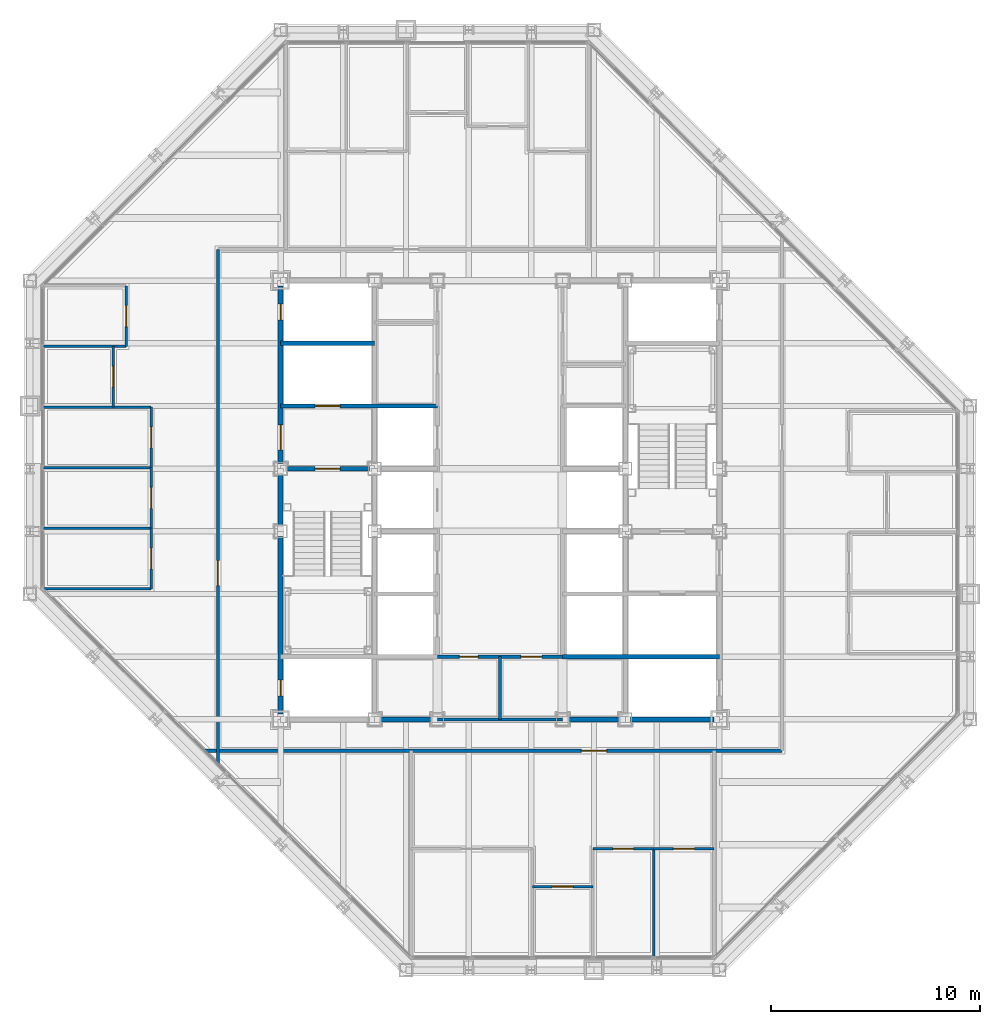
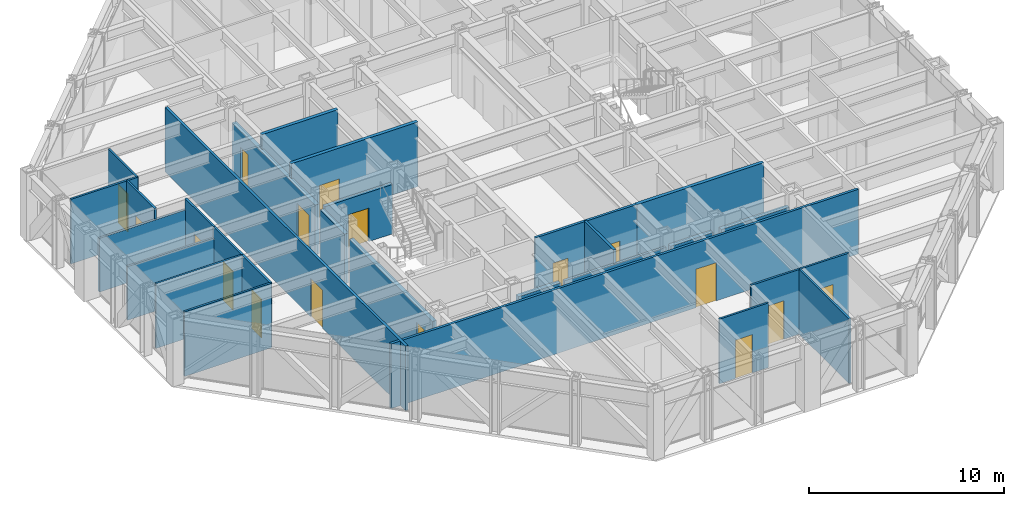
# One storey, part 10 of 15: 29 walls, 17 doors, 17 openings.
"""IFC4 building model written with IfcOpenShell, lengths in metres."""

from ifc_helpers import new_model, si_unit, direction, frame, frame_2d, origin, place, context, subcontext, project, spatial, rectangle, extrude, material, layer, layer_set, type_object, element, fill, save


model = new_model("IFC4")

# Units and contexts
model_context = context("Model", 3, precision=1e-05, world=origin(), true_north=direction((0.0, 1.0)))
body_context = subcontext(model_context, "Body", "Model", "MODEL_VIEW")
ifc_project = project(units=[si_unit("LENGTHUNIT", "METRE"), si_unit("AREAUNIT", "SQUARE_METRE"), si_unit("VOLUMEUNIT", "CUBIC_METRE"), si_unit("PLANEANGLEUNIT", "RADIAN"), si_unit("MASSUNIT", "GRAM", prefix="KILO")], contexts=[model_context])

# Site, building, storey
site_placement = place(None, origin())
site = spatial("IfcSite", under=ifc_project, at=site_placement, CompositionType="ELEMENT")
building_placement = place(site_placement, origin())
building = spatial("IfcBuilding", under=site, at=building_placement, Name="Chuquiago Exchange Tower", CompositionType="ELEMENT")
storey_placement = place(building_placement, frame((0.0, 0.0, 197.10009765625)))
storey = spatial("IfcBuildingStorey", under=building, at=storey_placement, Name="L43", CompositionType="ELEMENT", Elevation=197.10009765625)

# Wall, opening, door
ifc_material_1 = material(Name="Concrete masonry, fully grouted", Category="masonry")
ifc_layer_1 = layer(ifc_material_1, 0.25)
ifc_layer_set_1 = layer_set([ifc_layer_1], Name="W1 core wall 250")
wall_type_1 = type_object("IfcWallType", Name="W1 core wall 250", PredefinedType="SOLIDWALL", material=ifc_layer_set_1)
wall_1_placement = place(storey_placement, frame((12.0, 12.25, 0.0), z_axis=(0.0, 0.0, 1.0), x_axis=(0.0, 1.0, 0.0)))
wall_1 = element("IfcWall", 1, at=wall_1_placement, inside=storey, type_object=wall_type_1, Name="CW-L43-00-0", PredefinedType="SOLIDWALL", context=body_context, shape_type="SweptSolid", body=[
    extrude(rectangle(XDim=8.5, YDim=0.25, at=frame_2d((4.25, 0.0))), origin(), (0.0, 0.0, 1.0), 3.11279296875),
])
opening_1_placement = place(wall_1_placement, frame((0.875, 0.0, 0.0)))
opening_1 = element("IfcOpeningElement", 2, at=opening_1_placement, cuts=wall_1, Name="Opening L43-007", PredefinedType="OPENING", context=body_context, shape_type="SweptSolid", body=[
    extrude(rectangle(XDim=0.75, YDim=2.10009765625, at=frame_2d((0.375, 1.050048828125))), frame((0.0, 0.135009765625, 0.0), z_axis=(0.0, -1.0, 0.0), x_axis=(1.0, 0.0, 0.0)), (0.0, 0.0, 1.0), 0.27001953125),
])
ifc_material_2 = material(Name="Steel door, painted", Category="steel")
door_type_1 = type_object("IfcDoorType", Name="D6 riser access door 750x2100", OperationType="SINGLE_SWING_LEFT", PredefinedType="DOOR", material=ifc_material_2)
door_1_placement = place(opening_1_placement, origin())
door_1 = element("IfcDoor", 3, at=door_1_placement, inside=storey, type_object=door_type_1, Name="Riser RW1 door", OperationType="SINGLE_SWING_LEFT", OverallHeight=2.10009765625, OverallWidth=0.75, PredefinedType="DOOR", context=body_context, shape_type="SweptSolid", body=[
    extrude(rectangle(XDim=0.75, YDim=2.10009765625, at=frame_2d((0.375, 1.050048828125))), frame((0.0, 0.02490234375, 0.0), z_axis=(0.0, -1.0, 0.0), x_axis=(1.0, 0.0, 0.0)), (0.0, 0.0, 1.0), 0.050048828125),
])
fill(opening_1, door_1)

# Wall
wall_2_placement = place(storey_placement, frame((12.0, 21.25, 0.0), z_axis=(0.0, 0.0, 1.0), x_axis=(0.0, 1.0, 0.0)))
element("IfcWall", 4, at=wall_2_placement, inside=storey, type_object=wall_type_1, Name="CW-L43-00-1", PredefinedType="SOLIDWALL", context=body_context, shape_type="SweptSolid", body=[
    extrude(rectangle(XDim=2.5, YDim=0.25, at=frame_2d((1.25, 0.0))), origin(), (0.0, 0.0, 1.0), 3.11279296875),
])

# Wall, openings, doors
wall_3_placement = place(storey_placement, frame((12.0, 24.25, 0.0), z_axis=(0.0, 0.0, 1.0), x_axis=(0.0, 1.0, 0.0)))
wall_3 = element("IfcWall", 5, at=wall_3_placement, inside=storey, type_object=wall_type_1, Name="CW-L43-00-2", PredefinedType="SOLIDWALL", context=body_context, shape_type="SweptSolid", body=[
    extrude(rectangle(XDim=8.5, YDim=0.25, at=frame_2d((4.25, 0.0))), origin(), (0.0, 0.0, 1.0), 3.11279296875),
])
opening_2_placement = place(wall_3_placement, frame((0.64990234375, 0.0, 0.0)))
opening_2 = element("IfcOpeningElement", 6, at=opening_2_placement, cuts=wall_3, Name="Opening L43-002", PredefinedType="OPENING", context=body_context, shape_type="SweptSolid", body=[
    extrude(rectangle(XDim=1.199951171875, YDim=2.10009765625, at=frame_2d((0.60009765625, 1.050048828125))), frame((0.0, 0.135009765625, 0.0), z_axis=(0.0, -1.0, 0.0), x_axis=(1.0, 0.0, 0.0)), (0.0, 0.0, 1.0), 0.27001953125),
])
opening_3_placement = place(wall_3_placement, frame((6.875, 0.0, 0.0)))
opening_3 = element("IfcOpeningElement", 7, at=opening_3_placement, cuts=wall_3, Name="Opening L43-008", PredefinedType="OPENING", context=body_context, shape_type="SweptSolid", body=[
    extrude(rectangle(XDim=0.75, YDim=2.10009765625, at=frame_2d((0.375, 1.050048828125))), frame((0.0, 0.135009765625, 0.0), z_axis=(0.0, -1.0, 0.0), x_axis=(1.0, 0.0, 0.0)), (0.0, 0.0, 1.0), 0.27001953125),
])
ifc_material_3 = material(Name="Steel door, painted", Category="steel")
door_type_2 = type_object("IfcDoorType", Name="D5 firefighting lobby door 1200x2100", OperationType="SINGLE_SWING_LEFT", PredefinedType="DOOR", material=ifc_material_3)
door_2_placement = place(opening_2_placement, frame((1.199951171875, 0.0, 0.0), z_axis=(0.0, 0.0, 1.0), x_axis=(-1.0, 0.0, 0.0)))
door_2 = element("IfcDoor", 8, at=door_2_placement, inside=storey, type_object=door_type_2, Name="Firefighting lobby 1 door", OperationType="SINGLE_SWING_RIGHT", OverallHeight=2.10009765625, OverallWidth=1.199951171875, PredefinedType="DOOR", context=body_context, shape_type="SweptSolid", body=[
    extrude(rectangle(XDim=1.199951171875, YDim=2.10009765625, at=frame_2d((0.60009765625, 1.050048828125))), frame((0.0, 0.02490234375, 0.0), z_axis=(0.0, -1.0, 0.0), x_axis=(1.0, 0.0, 0.0)), (0.0, 0.0, 1.0), 0.050048828125),
])
fill(opening_2, door_2)
door_3_placement = place(opening_3_placement, origin())
door_3 = element("IfcDoor", 9, at=door_3_placement, inside=storey, type_object=door_type_1, Name="Riser RW2 door", OperationType="SINGLE_SWING_RIGHT", OverallHeight=2.10009765625, OverallWidth=0.75, PredefinedType="DOOR", context=body_context, shape_type="SweptSolid", body=[
    extrude(rectangle(XDim=0.75, YDim=2.10009765625, at=frame_2d((0.375, 1.050048828125))), frame((0.0, 0.02490234375, 0.0), z_axis=(0.0, -1.0, 0.0), x_axis=(1.0, 0.0, 0.0)), (0.0, 0.0, 1.0), 0.050048828125),
])
fill(opening_3, door_3)

# Walls
for number, where, z_axis, x_axis, name in (
    (10, (16.75, 12.0, 0.0), (0.0, 0.0, 1.0), (1.0, 0.0, 0.0), "CW-L43-01-1"),
    (11, (25.75, 12.0, 0.0), (0.0, 0.0, 1.0), (1.0, 0.0, 0.0), "CW-L43-02-0"),
):
    element("IfcWall", number, at=place(storey_placement, frame(where, z_axis=z_axis, x_axis=x_axis)), inside=storey, type_object=wall_type_1, Name=name, PredefinedType="SOLIDWALL", context=body_context, shape_type="SweptSolid", body=[
        extrude(rectangle(XDim=2.5, YDim=0.25, at=frame_2d((1.25, 0.0))), origin(), (0.0, 0.0, 1.0), 3.181396484375),
    ])
wall_4_placement = place(storey_placement, frame((28.75, 12.0, 0.0), z_axis=(0.0, 0.0, 1.0), x_axis=(1.0, 0.0, 0.0)))
element("IfcWall", 12, at=wall_4_placement, inside=storey, type_object=wall_type_1, Name="CW-L43-02-1", PredefinedType="SOLIDWALL", context=body_context, shape_type="SweptSolid", body=[
    extrude(rectangle(XDim=4.0, YDim=0.25, at=frame_2d((2.0, 0.0))), origin(), (0.0, 0.0, 1.0), 3.181396484375),
])

# Wall, opening, door
ifc_material_4 = material(Name="Gypsum board on steel studs, acoustic insulation", Category="steel")
ifc_layer_2 = layer(ifc_material_4, 0.14990234375)
ifc_layer_set_2 = layer_set([ifc_layer_2], Name="W11 corridor wall 150")
wall_type_2 = type_object("IfcWallType", Name="W11 corridor wall 150", PredefinedType="PARTITIONING", material=ifc_layer_set_2)
wall_5_placement = place(storey_placement, frame((8.385498046875, 10.5, 0.0), z_axis=(0.0, 0.0, 1.0), x_axis=(1.0, 0.0, 0.0)))
wall_5 = element("IfcWall", 13, at=wall_5_placement, inside=storey, type_object=wall_type_2, Name="PW-L43-CS", PredefinedType="PARTITIONING", context=body_context, shape_type="SweptSolid", body=[
    extrude(rectangle(XDim=27.614501953125, YDim=0.14990234375, at=frame_2d((13.80712890625, 0.0))), origin(), (0.0, 0.0, 1.0), 4.039794921875),
])
opening_4_placement = place(wall_5_placement, frame((18.014404296875, 0.0, 0.0)))
opening_4 = element("IfcOpeningElement", 14, at=opening_4_placement, cuts=wall_5, Name="Opening L43-039", PredefinedType="OPENING", context=body_context, shape_type="SweptSolid", body=[
    extrude(rectangle(XDim=1.199951171875, YDim=2.39990234375, at=frame_2d((0.60009765625, 1.199951171875))), frame((0.0, 0.0849609375, 0.0), z_axis=(0.0, -1.0, 0.0), x_axis=(1.0, 0.0, 0.0)), (0.0, 0.0, 1.0), 0.169921875),
])
ifc_material_5 = material(Name="Timber door, laminate faced", Category="wood")
door_type_3 = type_object("IfcDoorType", Name="D13 suite entrance door 1200x2400", OperationType="SINGLE_SWING_LEFT", PredefinedType="DOOR", material=ifc_material_5)
door_4_placement = place(opening_4_placement, frame((1.199951171875, 0.0, 0.0), z_axis=(0.0, 0.0, 1.0), x_axis=(-1.0, 0.0, 0.0)))
door_4 = element("IfcDoor", 15, at=door_4_placement, inside=storey, type_object=door_type_3, Name="South suite entrance door", OperationType="SINGLE_SWING_LEFT", OverallHeight=2.39990234375, OverallWidth=1.199951171875, PredefinedType="DOOR", context=body_context, shape_type="SweptSolid", body=[
    extrude(rectangle(XDim=1.199951171875, YDim=2.39990234375, at=frame_2d((0.60009765625, 1.199951171875))), frame((0.0, 0.02490234375, 0.0), z_axis=(0.0, -1.0, 0.0), x_axis=(1.0, 0.0, 0.0)), (0.0, 0.0, 1.0), 0.050048828125),
])
fill(opening_4, door_4)

wall_6_placement = place(storey_placement, frame((9.0, 9.885498046875, 0.0), z_axis=(0.0, 0.0, 1.0), x_axis=(0.0, 1.0, 0.0)))
wall_6 = element("IfcWall", 16, at=wall_6_placement, inside=storey, type_object=wall_type_2, Name="PW-L43-CW", PredefinedType="PARTITIONING", context=body_context, shape_type="SweptSolid", body=[
    extrude(rectangle(XDim=24.614501953125, YDim=0.14990234375, at=frame_2d((12.30712890625, 0.0))), origin(), (0.0, 0.0, 1.0), 4.039794921875),
])
opening_5_placement = place(wall_6_placement, frame((8.514404296875, 0.0, 0.0)))
opening_5 = element("IfcOpeningElement", 17, at=opening_5_placement, cuts=wall_6, Name="Opening L43-041", PredefinedType="OPENING", context=body_context, shape_type="SweptSolid", body=[
    extrude(rectangle(XDim=1.199951171875, YDim=2.39990234375, at=frame_2d((0.60009765625, 1.199951171875))), frame((0.0, 0.0849609375, 0.0), z_axis=(0.0, -1.0, 0.0), x_axis=(1.0, 0.0, 0.0)), (0.0, 0.0, 1.0), 0.169921875),
])
door_5_placement = place(opening_5_placement, origin())
door_5 = element("IfcDoor", 18, at=door_5_placement, inside=storey, type_object=door_type_3, Name="West suite entrance door", OperationType="SINGLE_SWING_LEFT", OverallHeight=2.39990234375, OverallWidth=1.199951171875, PredefinedType="DOOR", context=body_context, shape_type="SweptSolid", body=[
    extrude(rectangle(XDim=1.199951171875, YDim=2.39990234375, at=frame_2d((0.60009765625, 1.199951171875))), frame((0.0, 0.02490234375, 0.0), z_axis=(0.0, -1.0, 0.0), x_axis=(1.0, 0.0, 0.0)), (0.0, 0.0, 1.0), 0.050048828125),
])
fill(opening_5, door_5)

# Wall
ifc_material_6 = material(Name="Concrete masonry, fully grouted", Category="masonry")
ifc_layer_3 = layer(ifc_material_6, 0.199951171875)
ifc_layer_set_3 = layer_set([ifc_layer_3], Name="W2 shaft wall 200")
wall_type_3 = type_object("IfcWallType", Name="W2 shaft wall 200", PredefinedType="SOLIDWALL", material=ifc_layer_set_3)
wall_7_placement = place(storey_placement, frame((25.5, 15.0, 0.0), z_axis=(0.0, 0.0, 1.0), x_axis=(1.0, 0.0, 0.0)))
element("IfcWall", 19, at=wall_7_placement, inside=storey, type_object=wall_type_3, Name="CW-L43-04-0", PredefinedType="SOLIDWALL", context=body_context, shape_type="SweptSolid", body=[
    extrude(rectangle(XDim=7.5, YDim=0.199951171875, at=frame_2d((3.75, 0.0))), origin(), (0.0, 0.0, 1.0), 4.039794921875),
])

# Wall, opening, door
wall_8_placement = place(storey_placement, frame((12.25, 24.0, 0.0), z_axis=(0.0, 0.0, 1.0), x_axis=(1.0, 0.0, 0.0)))
wall_8 = element("IfcWall", 20, at=wall_8_placement, inside=storey, type_object=wall_type_3, Name="CW-L43-05-0", PredefinedType="SOLIDWALL", context=body_context, shape_type="SweptSolid", body=[
    extrude(rectangle(XDim=4.0, YDim=0.199951171875, at=frame_2d((2.0, 0.0))), origin(), (0.0, 0.0, 1.0), 3.08984375),
])
opening_6_placement = place(wall_8_placement, frame((1.39990234375, 0.0, 0.0)))
opening_6 = element("IfcOpeningElement", 21, at=opening_6_placement, cuts=wall_8, Name="Opening L43-001", PredefinedType="OPENING", context=body_context, shape_type="SweptSolid", body=[
    extrude(rectangle(XDim=1.199951171875, YDim=2.10009765625, at=frame_2d((0.60009765625, 1.050048828125))), frame((0.0, 0.10986328125, 0.0), z_axis=(0.0, -1.0, 0.0), x_axis=(1.0, 0.0, 0.0)), (0.0, 0.0, 1.0), 0.219970703125),
])
ifc_material_7 = material(Name="Steel door, painted", Category="steel")
door_type_4 = type_object("IfcDoorType", Name="D4 stair door 1200x2100", OperationType="SINGLE_SWING_LEFT", PredefinedType="DOOR", material=ifc_material_7)
door_6_placement = place(opening_6_placement, frame((1.199951171875, 0.0, 0.0), z_axis=(0.0, 0.0, 1.0), x_axis=(-1.0, 0.0, 0.0)))
door_6 = element("IfcDoor", 22, at=door_6_placement, inside=storey, type_object=door_type_4, Name="Stair ST1 door", OperationType="SINGLE_SWING_RIGHT", OverallHeight=2.10009765625, OverallWidth=1.199951171875, PredefinedType="DOOR", context=body_context, shape_type="SweptSolid", body=[
    extrude(rectangle(XDim=1.199951171875, YDim=2.10009765625, at=frame_2d((0.60009765625, 1.050048828125))), frame((0.0, 0.02490234375, 0.0), z_axis=(0.0, -1.0, 0.0), x_axis=(1.0, 0.0, 0.0)), (0.0, 0.0, 1.0), 0.050048828125),
])
fill(opening_6, door_6)

wall_9_placement = place(storey_placement, frame((12.0, 27.0, 0.0), z_axis=(0.0, 0.0, 1.0), x_axis=(1.0, 0.0, 0.0)))
wall_9 = element("IfcWall", 23, at=wall_9_placement, inside=storey, type_object=wall_type_3, Name="CW-L43-07-0", PredefinedType="SOLIDWALL", context=body_context, shape_type="SweptSolid", body=[
    extrude(rectangle(XDim=7.5, YDim=0.199951171875, at=frame_2d((3.75, 0.0))), origin(), (0.0, 0.0, 1.0), 4.039794921875),
])
opening_7_placement = place(wall_9_placement, frame((1.64990234375, 0.0, 0.0)))
opening_7 = element("IfcOpeningElement", 24, at=opening_7_placement, cuts=wall_9, Name="Opening L43-005", PredefinedType="OPENING", context=body_context, shape_type="SweptSolid", body=[
    extrude(rectangle(XDim=1.199951171875, YDim=2.10009765625, at=frame_2d((0.60009765625, 1.050048828125))), frame((0.0, 0.10986328125, 0.0), z_axis=(0.0, -1.0, 0.0), x_axis=(1.0, 0.0, 0.0)), (0.0, 0.0, 1.0), 0.219970703125),
])
ifc_material_8 = material(Name="Stainless steel lift landing door", Category="steel")
door_type_5 = type_object("IfcDoorType", Name="LD2 firefighting lift landing door 1200x2100", OperationType="DOUBLE_DOOR_SLIDING", PredefinedType="DOOR", material=ifc_material_8)
door_7_placement = place(opening_7_placement, origin())
door_7 = element("IfcDoor", 25, at=door_7_placement, inside=storey, type_object=door_type_5, Name="Firefighting lift FL1 landing door", OperationType="DOUBLE_DOOR_SLIDING", OverallHeight=2.10009765625, OverallWidth=1.199951171875, PredefinedType="DOOR", context=body_context, shape_type="SweptSolid", body=[
    extrude(rectangle(XDim=1.199951171875, YDim=2.10009765625, at=frame_2d((0.60009765625, 1.050048828125))), frame((0.0, 0.02490234375, 0.0), z_axis=(0.0, -1.0, 0.0), x_axis=(1.0, 0.0, 0.0)), (0.0, 0.0, 1.0), 0.050048828125),
])
fill(opening_7, door_7)

# Wall
wall_10_placement = place(storey_placement, frame((12.0, 30.0, 0.0), z_axis=(0.0, 0.0, 1.0), x_axis=(1.0, 0.0, 0.0)))
element("IfcWall", 26, at=wall_10_placement, inside=storey, type_object=wall_type_3, Name="CW-L43-09-0", PredefinedType="SOLIDWALL", context=body_context, shape_type="SweptSolid", body=[
    extrude(rectangle(XDim=4.5, YDim=0.199951171875, at=frame_2d((2.25, 0.0))), origin(), (0.0, 0.0, 1.0), 4.039794921875),
])

# Wall, openings, doors
ifc_material_9 = material(Name="Gypsum board on steel studs", Category="steel")
ifc_layer_4 = layer(ifc_material_9, 0.14990234375)
ifc_layer_set_4 = layer_set([ifc_layer_4], Name="W3 core partition 150")
wall_type_4 = type_object("IfcWallType", Name="W3 core partition 150", PredefinedType="PARTITIONING", material=ifc_layer_set_4)
wall_11_placement = place(storey_placement, frame((19.5, 15.0, 0.0), z_axis=(0.0, 0.0, 1.0), x_axis=(1.0, 0.0, 0.0)))
wall_11 = element("IfcWall", 27, at=wall_11_placement, inside=storey, type_object=wall_type_4, Name="CW-L43-TF", PredefinedType="PARTITIONING", context=body_context, shape_type="SweptSolid", body=[
    extrude(rectangle(XDim=6.0, YDim=0.14990234375, at=frame_2d((3.0, 0.0))), origin(), (0.0, 0.0, 1.0), 4.039794921875),
])
opening_8_placement = place(wall_11_placement, frame((4.0, 0.0, 0.0)))
opening_8 = element("IfcOpeningElement", 28, at=opening_8_placement, cuts=wall_11, Name="Opening L43-015", PredefinedType="OPENING", context=body_context, shape_type="SweptSolid", body=[
    extrude(rectangle(XDim=1.0, YDim=2.10009765625, at=frame_2d((0.5, 1.050048828125))), frame((0.0, 0.0849609375, 0.0), z_axis=(0.0, -1.0, 0.0), x_axis=(1.0, 0.0, 0.0)), (0.0, 0.0, 1.0), 0.169921875),
])
opening_9_placement = place(wall_11_placement, frame((1.050048828125, 0.0, 0.0)))
opening_9 = element("IfcOpeningElement", 29, at=opening_9_placement, cuts=wall_11, Name="Opening L43-016", PredefinedType="OPENING", context=body_context, shape_type="SweptSolid", body=[
    extrude(rectangle(XDim=0.89990234375, YDim=2.10009765625, at=frame_2d((0.449951171875, 1.050048828125))), frame((0.0, 0.0849609375, 0.0), z_axis=(0.0, -1.0, 0.0), x_axis=(1.0, 0.0, 0.0)), (0.0, 0.0, 1.0), 0.169921875),
])
ifc_material_10 = material(Name="Timber door, laminate faced", Category="wood")
door_type_6 = type_object("IfcDoorType", Name="D7 toilet door 900x2100", OperationType="SINGLE_SWING_LEFT", PredefinedType="DOOR", material=ifc_material_10)
door_8_placement = place(opening_9_placement, origin())
door_8 = element("IfcDoor", 30, at=door_8_placement, inside=storey, type_object=door_type_6, Name="Cleaner door", OperationType="SINGLE_SWING_LEFT", OverallHeight=2.10009765625, OverallWidth=0.89990234375, PredefinedType="DOOR", context=body_context, shape_type="SweptSolid", body=[
    extrude(rectangle(XDim=0.89990234375, YDim=2.10009765625, at=frame_2d((0.449951171875, 1.050048828125))), frame((0.0, 0.02490234375, 0.0), z_axis=(0.0, -1.0, 0.0), x_axis=(1.0, 0.0, 0.0)), (0.0, 0.0, 1.0), 0.050048828125),
])
fill(opening_9, door_8)
ifc_material_11 = material(Name="Timber door, laminate faced", Category="wood")
door_type_7 = type_object("IfcDoorType", Name="D8 accessible toilet door 1000x2100", OperationType="SLIDING_TO_LEFT", PredefinedType="DOOR", material=ifc_material_11)
door_9_placement = place(opening_8_placement, origin())
door_9 = element("IfcDoor", 31, at=door_9_placement, inside=storey, type_object=door_type_7, Name="Accessible WC door", OperationType="SLIDING_TO_LEFT", OverallHeight=2.10009765625, OverallWidth=1.0, PredefinedType="DOOR", context=body_context, shape_type="SweptSolid", body=[
    extrude(rectangle(XDim=1.0, YDim=2.10009765625, at=frame_2d((0.5, 1.050048828125))), frame((0.0, 0.02490234375, 0.0), z_axis=(0.0, -1.0, 0.0), x_axis=(1.0, 0.0, 0.0)), (0.0, 0.0, 1.0), 0.050048828125),
])
fill(opening_8, door_9)

# Walls
wall_12_placement = place(storey_placement, frame((22.5, 15.0, 0.0), z_axis=(0.0, 0.0, 1.0), x_axis=(0.0, -1.0, 0.0)))
element("IfcWall", 32, at=wall_12_placement, inside=storey, type_object=wall_type_4, Name="CW-L43-TM", PredefinedType="PARTITIONING", context=body_context, shape_type="SweptSolid", body=[
    extrude(rectangle(XDim=3.0, YDim=0.14990234375, at=frame_2d((1.5, 0.0))), origin(), (0.0, 0.0, 1.0), 4.039794921875),
])
wall_13_placement = place(storey_placement, frame((19.5, 12.0, 0.0), z_axis=(0.0, 0.0, 1.0), x_axis=(1.0, 0.0, 0.0)))
element("IfcWall", 33, at=wall_13_placement, inside=storey, type_object=wall_type_4, Name="CW-L43-TB", PredefinedType="PARTITIONING", context=body_context, shape_type="SweptSolid", body=[
    extrude(rectangle(XDim=6.0, YDim=0.14990234375, at=frame_2d((3.0, 0.0))), origin(), (0.0, 0.0, 1.0), 3.181396484375),
])
ifc_material_12 = material(Name="Gypsum board on steel studs", Category="steel")
ifc_layer_5 = layer(ifc_material_12, 0.1201171875)
ifc_layer_set_5 = layer_set([ifc_layer_5], Name="W4 partition 120")
wall_type_5 = type_object("IfcWallType", Name="W4 partition 120", PredefinedType="PARTITIONING", material=ifc_layer_set_5)
wall_14_placement = place(storey_placement, frame((29.850830078125, 0.652587890625, 0.0), z_axis=(0.0, 0.0, 1.0), x_axis=(0.0, 1.0, 0.0)))
element("IfcWall", 34, at=wall_14_placement, inside=storey, type_object=wall_type_5, Name="PW-L43-S02985", PredefinedType="PARTITIONING", context=body_context, shape_type="SweptSolid", body=[
    extrude(rectangle(XDim=5.1474609375, YDim=0.1201171875, at=frame_2d((2.57373046875, 0.0))), origin(), (0.0, 0.0, 1.0), 4.039794921875),
])

# Wall, opening, door
wall_15_placement = place(storey_placement, frame((24.0498046875, 4.0, 0.0), z_axis=(0.0, 0.0, 1.0), x_axis=(1.0, 0.0, 0.0)))
wall_15 = element("IfcWall", 35, at=wall_15_placement, inside=storey, type_object=wall_type_5, Name="PW-L43-SF02405", PredefinedType="PARTITIONING", context=body_context, shape_type="SweptSolid", body=[
    extrude(rectangle(XDim=2.900390625, YDim=0.1201171875, at=frame_2d((1.4501953125, 0.0))), origin(), (0.0, 0.0, 1.0), 4.039794921875),
])
opening_10_placement = place(wall_15_placement, frame((0.9501953125, 0.0, 0.0)))
opening_10 = element("IfcOpeningElement", 36, at=opening_10_placement, cuts=wall_15, Name="Opening L43-022", PredefinedType="OPENING", context=body_context, shape_type="SweptSolid", body=[
    extrude(rectangle(XDim=1.0, YDim=2.39990234375, at=frame_2d((0.5, 1.199951171875))), frame((0.0, 0.070068359375, 0.0), z_axis=(0.0, -1.0, 0.0), x_axis=(1.0, 0.0, 0.0)), (0.0, 0.0, 1.0), 0.14013671875),
])
ifc_material_13 = material(Name="Timber frame door, full height glazed panel", Category="wood")
door_type_8 = type_object("IfcDoorType", Name="D14 glazed meeting room door 1000x2400", OperationType="SINGLE_SWING_LEFT", PredefinedType="DOOR", material=ifc_material_13)
door_10_placement = place(opening_10_placement, frame((1.0, 0.0, 0.0), z_axis=(0.0, 0.0, 1.0), x_axis=(-1.0, 0.0, 0.0)))
door_10 = element("IfcDoor", 37, at=door_10_placement, inside=storey, type_object=door_type_8, Name="Focus room door", OperationType="SINGLE_SWING_LEFT", OverallHeight=2.39990234375, OverallWidth=1.0, PredefinedType="DOOR", context=body_context, shape_type="SweptSolid", body=[
    extrude(rectangle(XDim=1.0, YDim=2.39990234375, at=frame_2d((0.5, 1.199951171875))), frame((0.0, 0.02490234375, 0.0), z_axis=(0.0, -1.0, 0.0), x_axis=(1.0, 0.0, 0.0)), (0.0, 0.0, 1.0), 0.050048828125),
])
fill(opening_10, door_10)

wall_16_placement = place(storey_placement, frame((26.9501953125, 5.800048828125, 0.0), z_axis=(0.0, 0.0, 1.0), x_axis=(1.0, 0.0, 0.0)))
wall_16 = element("IfcWall", 38, at=wall_16_placement, inside=storey, type_object=wall_type_5, Name="PW-L43-SF02695", PredefinedType="PARTITIONING", context=body_context, shape_type="SweptSolid", body=[
    extrude(rectangle(XDim=2.900634765625, YDim=0.1201171875, at=frame_2d((1.4501953125, 0.0))), origin(), (0.0, 0.0, 1.0), 4.039794921875),
])
opening_11_placement = place(wall_16_placement, frame((0.9501953125, 0.0, 0.0)))
opening_11 = element("IfcOpeningElement", 39, at=opening_11_placement, cuts=wall_16, Name="Opening L43-023", PredefinedType="OPENING", context=body_context, shape_type="SweptSolid", body=[
    extrude(rectangle(XDim=1.0, YDim=2.39990234375, at=frame_2d((0.5, 1.199951171875))), frame((0.0, 0.070068359375, 0.0), z_axis=(0.0, -1.0, 0.0), x_axis=(1.0, 0.0, 0.0)), (0.0, 0.0, 1.0), 0.14013671875),
])
ifc_material_14 = material(Name="Timber door, laminate faced", Category="wood")
door_type_9 = type_object("IfcDoorType", Name="D9 room door 1000x2400", OperationType="SINGLE_SWING_LEFT", PredefinedType="DOOR", material=ifc_material_14)
door_11_placement = place(opening_11_placement, frame((1.0, 0.0, 0.0), z_axis=(0.0, 0.0, 1.0), x_axis=(-1.0, 0.0, 0.0)))
door_11 = element("IfcDoor", 40, at=door_11_placement, inside=storey, type_object=door_type_9, Name="Office door", OperationType="SINGLE_SWING_RIGHT", OverallHeight=2.39990234375, OverallWidth=1.0, PredefinedType="DOOR", context=body_context, shape_type="SweptSolid", body=[
    extrude(rectangle(XDim=1.0, YDim=2.39990234375, at=frame_2d((0.5, 1.199951171875))), frame((0.0, 0.02490234375, 0.0), z_axis=(0.0, -1.0, 0.0), x_axis=(1.0, 0.0, 0.0)), (0.0, 0.0, 1.0), 0.050048828125),
])
fill(opening_11, door_11)

wall_17_placement = place(storey_placement, frame((29.850830078125, 5.800048828125, 0.0), z_axis=(0.0, 0.0, 1.0), x_axis=(1.0, 0.0, 0.0)))
wall_17 = element("IfcWall", 41, at=wall_17_placement, inside=storey, type_object=wall_type_5, Name="PW-L43-SF02985", PredefinedType="PARTITIONING", context=body_context, shape_type="SweptSolid", body=[
    extrude(rectangle(XDim=2.900634765625, YDim=0.1201171875, at=frame_2d((1.4501953125, 0.0))), origin(), (0.0, 0.0, 1.0), 4.039794921875),
])
opening_12_placement = place(wall_17_placement, frame((0.9501953125, 0.0, 0.0)))
opening_12 = element("IfcOpeningElement", 42, at=opening_12_placement, cuts=wall_17, Name="Opening L43-024", PredefinedType="OPENING", context=body_context, shape_type="SweptSolid", body=[
    extrude(rectangle(XDim=1.0, YDim=2.39990234375, at=frame_2d((0.5, 1.199951171875))), frame((0.0, 0.070068359375, 0.0), z_axis=(0.0, -1.0, 0.0), x_axis=(1.0, 0.0, 0.0)), (0.0, 0.0, 1.0), 0.14013671875),
])
door_12_placement = place(opening_12_placement, frame((1.0, 0.0, 0.0), z_axis=(0.0, 0.0, 1.0), x_axis=(-1.0, 0.0, 0.0)))
door_12 = element("IfcDoor", 43, at=door_12_placement, inside=storey, type_object=door_type_9, Name="Office door", OperationType="SINGLE_SWING_LEFT", OverallHeight=2.39990234375, OverallWidth=1.0, PredefinedType="DOOR", context=body_context, shape_type="SweptSolid", body=[
    extrude(rectangle(XDim=1.0, YDim=2.39990234375, at=frame_2d((0.5, 1.199951171875))), frame((0.0, 0.02490234375, 0.0), z_axis=(0.0, -1.0, 0.0), x_axis=(1.0, 0.0, 0.0)), (0.0, 0.0, 1.0), 0.050048828125),
])
fill(opening_12, door_12)

# Walls
wall_18_placement = place(storey_placement, frame((0.666015625, 18.24853515625, 0.0), z_axis=(0.0, 0.0, 1.0), x_axis=(1.0, 0.0, 0.0)))
element("IfcWall", 44, at=wall_18_placement, inside=storey, type_object=wall_type_5, Name="PW-L43-W01825", PredefinedType="PARTITIONING", context=body_context, shape_type="SweptSolid", body=[
    extrude(rectangle(XDim=5.134033203125, YDim=0.1201171875, at=frame_2d((2.56689453125, 0.0))), origin(), (0.0, 0.0, 1.0), 4.039794921875),
])
wall_19_placement = place(storey_placement, frame((0.652587890625, 21.149169921875, 0.0), z_axis=(0.0, 0.0, 1.0), x_axis=(1.0, 0.0, 0.0)))
element("IfcWall", 45, at=wall_19_placement, inside=storey, type_object=wall_type_5, Name="PW-L43-W02115", PredefinedType="PARTITIONING", context=body_context, shape_type="SweptSolid", body=[
    extrude(rectangle(XDim=5.1474609375, YDim=0.1201171875, at=frame_2d((2.57373046875, 0.0))), origin(), (0.0, 0.0, 1.0), 4.039794921875),
])
for number, where, z_axis, x_axis, name in (
    (46, (0.652587890625, 24.0498046875, 0.0), (0.0, 0.0, 1.0), (1.0, 0.0, 0.0), "PW-L43-W02405"),
    (47, (0.652587890625, 26.9501953125, 0.0), (0.0, 0.0, 1.0), (1.0, 0.0, 0.0), "PW-L43-W02695"),
):
    element("IfcWall", number, at=place(storey_placement, frame(where, z_axis=z_axis, x_axis=x_axis)), inside=storey, type_object=wall_type_5, Name=name, PredefinedType="PARTITIONING", context=body_context, shape_type="SweptSolid", body=[
        extrude(rectangle(XDim=5.1474609375, YDim=0.1201171875, at=frame_2d((2.57373046875, 0.0))), origin(), (0.0, 0.0, 1.0), 3.356689453125),
    ])
wall_20_placement = place(storey_placement, frame((0.652587890625, 29.850830078125, 0.0), z_axis=(0.0, 0.0, 1.0), x_axis=(1.0, 0.0, 0.0)))
element("IfcWall", 48, at=wall_20_placement, inside=storey, type_object=wall_type_5, Name="PW-L43-W02985", PredefinedType="PARTITIONING", context=body_context, shape_type="SweptSolid", body=[
    extrude(rectangle(XDim=3.947509765625, YDim=0.1201171875, at=frame_2d((1.9736328125, 0.0))), origin(), (0.0, 0.0, 1.0), 4.039794921875),
])

# Wall, opening, door
wall_21_placement = place(storey_placement, frame((5.800048828125, 18.24853515625, 0.0), z_axis=(0.0, 0.0, 1.0), x_axis=(0.0, 1.0, 0.0)))
wall_21 = element("IfcWall", 49, at=wall_21_placement, inside=storey, type_object=wall_type_5, Name="PW-L43-WF01825", PredefinedType="PARTITIONING", context=body_context, shape_type="SweptSolid", body=[
    extrude(rectangle(XDim=2.900634765625, YDim=0.1201171875, at=frame_2d((1.4501953125, 0.0))), origin(), (0.0, 0.0, 1.0), 4.039794921875),
])
opening_13_placement = place(wall_21_placement, frame((0.9501953125, 0.0, 0.0)))
opening_13 = element("IfcOpeningElement", 50, at=opening_13_placement, cuts=wall_21, Name="Opening L43-034", PredefinedType="OPENING", context=body_context, shape_type="SweptSolid", body=[
    extrude(rectangle(XDim=1.0, YDim=2.39990234375, at=frame_2d((0.5, 1.199951171875))), frame((0.0, 0.070068359375, 0.0), z_axis=(0.0, -1.0, 0.0), x_axis=(1.0, 0.0, 0.0)), (0.0, 0.0, 1.0), 0.14013671875),
])
door_13_placement = place(opening_13_placement, origin())
door_13 = element("IfcDoor", 51, at=door_13_placement, inside=storey, type_object=door_type_8, Name="Meeting room door", OperationType="SINGLE_SWING_LEFT", OverallHeight=2.39990234375, OverallWidth=1.0, PredefinedType="DOOR", context=body_context, shape_type="SweptSolid", body=[
    extrude(rectangle(XDim=1.0, YDim=2.39990234375, at=frame_2d((0.5, 1.199951171875))), frame((0.0, 0.02490234375, 0.0), z_axis=(0.0, -1.0, 0.0), x_axis=(1.0, 0.0, 0.0)), (0.0, 0.0, 1.0), 0.050048828125),
])
fill(opening_13, door_13)

wall_22_placement = place(storey_placement, frame((5.800048828125, 21.149169921875, 0.0), z_axis=(0.0, 0.0, 1.0), x_axis=(0.0, 1.0, 0.0)))
wall_22 = element("IfcWall", 52, at=wall_22_placement, inside=storey, type_object=wall_type_5, Name="PW-L43-WF02115", PredefinedType="PARTITIONING", context=body_context, shape_type="SweptSolid", body=[
    extrude(rectangle(XDim=2.900634765625, YDim=0.1201171875, at=frame_2d((1.4501953125, 0.0))), origin(), (0.0, 0.0, 1.0), 4.039794921875),
])
opening_14_placement = place(wall_22_placement, frame((0.9501953125, 0.0, 0.0)))
opening_14 = element("IfcOpeningElement", 53, at=opening_14_placement, cuts=wall_22, Name="Opening L43-035", PredefinedType="OPENING", context=body_context, shape_type="SweptSolid", body=[
    extrude(rectangle(XDim=1.0, YDim=2.39990234375, at=frame_2d((0.5, 1.199951171875))), frame((0.0, 0.070068359375, 0.0), z_axis=(0.0, -1.0, 0.0), x_axis=(1.0, 0.0, 0.0)), (0.0, 0.0, 1.0), 0.14013671875),
])
door_14_placement = place(opening_14_placement, origin())
door_14 = element("IfcDoor", 54, at=door_14_placement, inside=storey, type_object=door_type_9, Name="Office door", OperationType="SINGLE_SWING_LEFT", OverallHeight=2.39990234375, OverallWidth=1.0, PredefinedType="DOOR", context=body_context, shape_type="SweptSolid", body=[
    extrude(rectangle(XDim=1.0, YDim=2.39990234375, at=frame_2d((0.5, 1.199951171875))), frame((0.0, 0.02490234375, 0.0), z_axis=(0.0, -1.0, 0.0), x_axis=(1.0, 0.0, 0.0)), (0.0, 0.0, 1.0), 0.050048828125),
])
fill(opening_14, door_14)

wall_23_placement = place(storey_placement, frame((5.800048828125, 24.0498046875, 0.0), z_axis=(0.0, 0.0, 1.0), x_axis=(0.0, 1.0, 0.0)))
wall_23 = element("IfcWall", 55, at=wall_23_placement, inside=storey, type_object=wall_type_5, Name="PW-L43-WF02405", PredefinedType="PARTITIONING", context=body_context, shape_type="SweptSolid", body=[
    extrude(rectangle(XDim=2.900390625, YDim=0.1201171875, at=frame_2d((1.4501953125, 0.0))), origin(), (0.0, 0.0, 1.0), 4.039794921875),
])
opening_15_placement = place(wall_23_placement, frame((0.9501953125, 0.0, 0.0)))
opening_15 = element("IfcOpeningElement", 56, at=opening_15_placement, cuts=wall_23, Name="Opening L43-036", PredefinedType="OPENING", context=body_context, shape_type="SweptSolid", body=[
    extrude(rectangle(XDim=1.0, YDim=2.39990234375, at=frame_2d((0.5, 1.199951171875))), frame((0.0, 0.070068359375, 0.0), z_axis=(0.0, -1.0, 0.0), x_axis=(1.0, 0.0, 0.0)), (0.0, 0.0, 1.0), 0.14013671875),
])
door_15_placement = place(opening_15_placement, origin())
door_15 = element("IfcDoor", 57, at=door_15_placement, inside=storey, type_object=door_type_9, Name="Office door", OperationType="SINGLE_SWING_RIGHT", OverallHeight=2.39990234375, OverallWidth=1.0, PredefinedType="DOOR", context=body_context, shape_type="SweptSolid", body=[
    extrude(rectangle(XDim=1.0, YDim=2.39990234375, at=frame_2d((0.5, 1.199951171875))), frame((0.0, 0.02490234375, 0.0), z_axis=(0.0, -1.0, 0.0), x_axis=(1.0, 0.0, 0.0)), (0.0, 0.0, 1.0), 0.050048828125),
])
fill(opening_15, door_15)

wall_24_placement = place(storey_placement, frame((4.0, 26.9501953125, 0.0), z_axis=(0.0, 0.0, 1.0), x_axis=(0.0, 1.0, 0.0)))
wall_24 = element("IfcWall", 58, at=wall_24_placement, inside=storey, type_object=wall_type_5, Name="PW-L43-WF02695", PredefinedType="PARTITIONING", context=body_context, shape_type="SweptSolid", body=[
    extrude(rectangle(XDim=2.900634765625, YDim=0.1201171875, at=frame_2d((1.4501953125, 0.0))), origin(), (0.0, 0.0, 1.0), 4.039794921875),
])
opening_16_placement = place(wall_24_placement, frame((0.9501953125, 0.0, 0.0)))
opening_16 = element("IfcOpeningElement", 59, at=opening_16_placement, cuts=wall_24, Name="Opening L43-037", PredefinedType="OPENING", context=body_context, shape_type="SweptSolid", body=[
    extrude(rectangle(XDim=1.0, YDim=2.39990234375, at=frame_2d((0.5, 1.199951171875))), frame((0.0, 0.070068359375, 0.0), z_axis=(0.0, -1.0, 0.0), x_axis=(1.0, 0.0, 0.0)), (0.0, 0.0, 1.0), 0.14013671875),
])
door_16_placement = place(opening_16_placement, origin())
door_16 = element("IfcDoor", 60, at=door_16_placement, inside=storey, type_object=door_type_8, Name="Focus room door", OperationType="SINGLE_SWING_LEFT", OverallHeight=2.39990234375, OverallWidth=1.0, PredefinedType="DOOR", context=body_context, shape_type="SweptSolid", body=[
    extrude(rectangle(XDim=1.0, YDim=2.39990234375, at=frame_2d((0.5, 1.199951171875))), frame((0.0, 0.02490234375, 0.0), z_axis=(0.0, -1.0, 0.0), x_axis=(1.0, 0.0, 0.0)), (0.0, 0.0, 1.0), 0.050048828125),
])
fill(opening_16, door_16)

wall_25_placement = place(storey_placement, frame((4.60009765625, 29.850830078125, 0.0), z_axis=(0.0, 0.0, 1.0), x_axis=(0.0, 1.0, 0.0)))
wall_25 = element("IfcWall", 61, at=wall_25_placement, inside=storey, type_object=wall_type_5, Name="PW-L43-WF02985", PredefinedType="PARTITIONING", context=body_context, shape_type="SweptSolid", body=[
    extrude(rectangle(XDim=2.900634765625, YDim=0.1201171875, at=frame_2d((1.4501953125, 0.0))), origin(), (0.0, 0.0, 1.0), 4.039794921875),
])
opening_17_placement = place(wall_25_placement, frame((0.9501953125, 0.0, 0.0)))
opening_17 = element("IfcOpeningElement", 62, at=opening_17_placement, cuts=wall_25, Name="Opening L43-038", PredefinedType="OPENING", context=body_context, shape_type="SweptSolid", body=[
    extrude(rectangle(XDim=1.0, YDim=2.39990234375, at=frame_2d((0.5, 1.199951171875))), frame((0.0, 0.070068359375, 0.0), z_axis=(0.0, -1.0, 0.0), x_axis=(1.0, 0.0, 0.0)), (0.0, 0.0, 1.0), 0.14013671875),
])
door_17_placement = place(opening_17_placement, origin())
door_17 = element("IfcDoor", 63, at=door_17_placement, inside=storey, type_object=door_type_9, Name="Pantry door", OperationType="SINGLE_SWING_LEFT", OverallHeight=2.39990234375, OverallWidth=1.0, PredefinedType="DOOR", context=body_context, shape_type="SweptSolid", body=[
    extrude(rectangle(XDim=1.0, YDim=2.39990234375, at=frame_2d((0.5, 1.199951171875))), frame((0.0, 0.02490234375, 0.0), z_axis=(0.0, -1.0, 0.0), x_axis=(1.0, 0.0, 0.0)), (0.0, 0.0, 1.0), 0.050048828125),
])
fill(opening_17, door_17)

save(model, "model.ifc")
